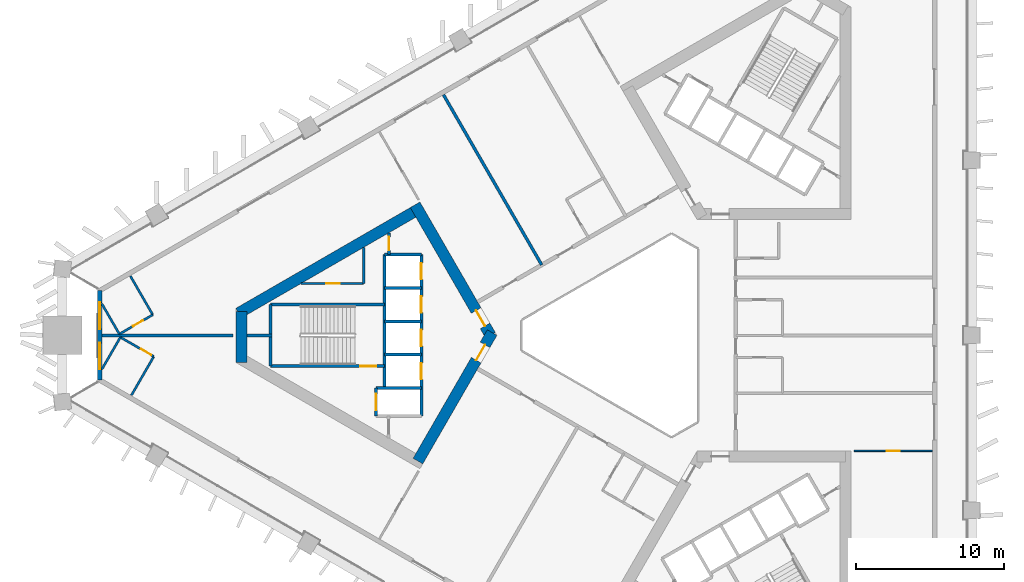
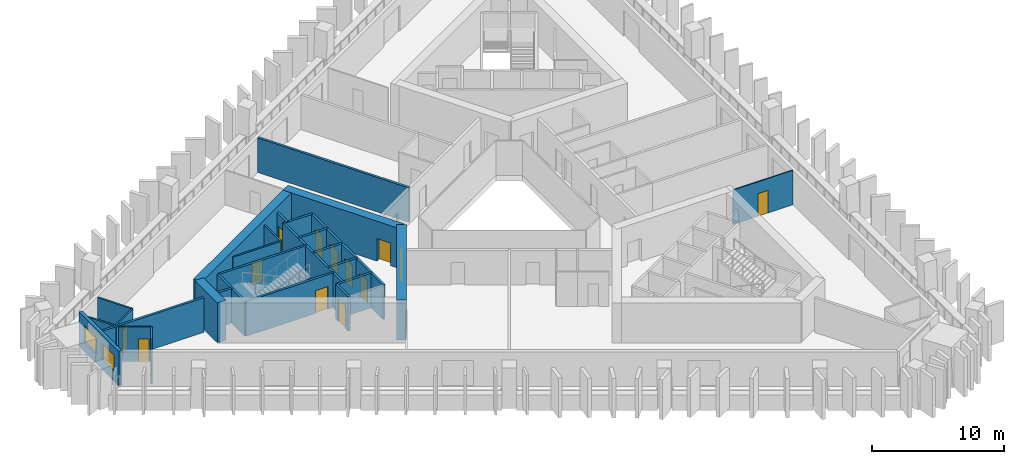
# One storey, part 4 of 11: 29 walls, 13 doors, 2 windows, 15 openings.
"""IFC4 building model written with IfcOpenShell, lengths in metres."""

import ifcopenshell
import ifcopenshell.guid

model = None  # the IFC model being written
_history = None  # IfcOwnerHistory: only IFC2X3 demands one
_inside = {}  # id of a spatial element -> (the spatial element, [elements in it])
_under = {}  # id of a project, library or spatial element -> (it, [spatial elements below it])
_declared = {}  # id of a project -> (the project, [libraries it declares])
_typed = {}  # id of a type object -> (the type object, [elements of that type])
_made_of = {}  # id of a material, layer set ... -> (it, [elements and type objects made of it])


def new_model(schema):
    """Start an empty IFC model of exactly this schema.

    Asked for "IFC4X3", IfcOpenShell would pick the latest addendum, in which some entities
    have other attributes; the version numbers below select the first issue.
    IFC2X3 requires an IfcOwnerHistory on every rooted entity: one is made here for all.
    """
    global model, _history
    if schema == "IFC4X3":
        model = ifcopenshell.file(schema_version=(4, 3, 0, 0))
    else:
        model = ifcopenshell.file(schema=schema)
    _inside.clear()
    _under.clear()
    _declared.clear()
    _typed.clear()
    _made_of.clear()
    _history = None
    if model.schema == "IFC2X3":
        org = make("IfcOrganization", Name="unknown")
        user = make(
            "IfcPersonAndOrganization",
            ThePerson=make("IfcPerson", FamilyName="unknown"),
            TheOrganization=org,
        )
        app = make(
            "IfcApplication",
            ApplicationDeveloper=org,
            Version="unknown",
            ApplicationFullName="unknown",
            ApplicationIdentifier="unknown",
        )
        _history = make(
            "IfcOwnerHistory",
            OwningUser=user,
            OwningApplication=app,
            ChangeAction="ADDED",
            CreationDate=0,
        )
    return model


def make(cls, **values):
    """One entity of the class cls with the attributes given. An attribute that is None is left unset."""
    return model.create_entity(
        cls, **{name: value for name, value in values.items() if value is not None}
    )


def rooted(cls, **values):
    """An entity with a GlobalId (a new one), such as an element, a storey or a relation."""
    return make(cls, GlobalId=ifcopenshell.guid.new(), OwnerHistory=_history, **values)


def si_unit(unit_type, name, prefix=None):
    """IfcSIUnit, for example si_unit("LENGTHUNIT", "METRE", prefix="MILLI")."""
    return make("IfcSIUnit", UnitType=unit_type, Prefix=prefix, Name=name)


def assignment(units):
    """IfcUnitAssignment: the units of a project."""
    return None if units is None else make("IfcUnitAssignment", Units=units)


def point(xyz):
    """IfcCartesianPoint."""
    return None if xyz is None else make("IfcCartesianPoint", Coordinates=xyz)


def direction(xyz):
    """IfcDirection."""
    return None if xyz is None else make("IfcDirection", DirectionRatios=xyz)


def frame(location, z_axis=None, x_axis=None):
    """IfcAxis2Placement3D, a coordinate frame: its origin and axes. An axis left out is left unset."""
    return make(
        "IfcAxis2Placement3D",
        Location=point(location),
        Axis=direction(z_axis),
        RefDirection=direction(x_axis),
    )


def frame_2d(location, x_axis=None):
    """IfcAxis2Placement2D, a coordinate frame in the plane: its origin and x axis."""
    return make(
        "IfcAxis2Placement2D", Location=point(location), RefDirection=direction(x_axis)
    )


def origin():
    """The frame at (0, 0, 0) with its axes left unset."""
    return frame((0.0, 0.0, 0.0))


def place(relative_to, where):
    """IfcLocalPlacement: puts the frame where relative to a parent placement (None: the world)."""
    return make(
        "IfcLocalPlacement", PlacementRelTo=relative_to, RelativePlacement=where
    )


def context(
    kind, dimensions, precision=None, world=None, true_north=None, identifier=None
):
    """IfcGeometricRepresentationContext, for example the 3D "Model" context."""
    return make(
        "IfcGeometricRepresentationContext",
        ContextIdentifier=identifier,
        ContextType=kind,
        CoordinateSpaceDimension=dimensions,
        Precision=precision,
        WorldCoordinateSystem=world,
        TrueNorth=true_north,
    )


def subcontext(parent, identifier, kind, view, scale=None):
    """IfcGeometricRepresentationSubContext, for example "Body" below "Model"."""
    return make(
        "IfcGeometricRepresentationSubContext",
        ContextIdentifier=identifier,
        ContextType=kind,
        ParentContext=parent,
        TargetScale=scale,
        TargetView=view,
    )


def project(units=None, contexts=None):
    """IfcProject with its units and contexts."""
    return rooted(
        "IfcProject",
        Name="project",
        RepresentationContexts=contexts,
        UnitsInContext=assignment(units),
    )


def spatial(cls, under=None, at=None, **own):
    """A site, building, storey or space (cls), placed at a placement, below another one or the project."""
    s = rooted(cls, ObjectPlacement=at, **own)
    if under is not None:
        _under.setdefault(under.id(), (under, []))[1].append(s)
    return s


def profile(cls, at=None, kind="AREA", **sizes):
    """A parametric profile (cls). Its sizes go by their IFC names, for example OverallWidth=200.0."""
    return make(cls, ProfileType=kind, Position=at, **sizes)


def rectangle(**sizes):
    """IfcRectangleProfileDef."""
    return profile("IfcRectangleProfileDef", **sizes)


def extrude(swept, where, along, depth):
    """IfcExtrudedAreaSolid: the profile swept, set in the frame where, extruded along a direction by depth."""
    return make(
        "IfcExtrudedAreaSolid",
        SweptArea=swept,
        Position=where,
        ExtrudedDirection=direction(along),
        Depth=depth,
    )


def shape(context_of_items, identifier, shape_type, items):
    """IfcShapeRepresentation: the items that make up one representation, for example the "Body"."""
    return make(
        "IfcShapeRepresentation",
        ContextOfItems=context_of_items,
        RepresentationIdentifier=identifier,
        RepresentationType=shape_type,
        Items=items,
    )


def material(Name=None, Category=None):
    """IfcMaterial."""
    return make("IfcMaterial", Name=Name, Category=Category)


def layer(
    of_material, thickness, ventilated=None, Name=None, Category=None, Priority=None
):
    """IfcMaterialLayer: one layer of a wall or slab, of a material (None: an air gap)."""
    return make(
        "IfcMaterialLayer",
        Material=of_material,
        LayerThickness=thickness,
        IsVentilated=ventilated,
        Name=Name,
        Category=Category,
        Priority=Priority,
    )


def layer_set(layers, Name=None):
    """IfcMaterialLayerSet."""
    return make("IfcMaterialLayerSet", MaterialLayers=layers, LayerSetName=Name)


def made_of(thing, what):
    """Note that an element or type object is made of a material, layer set ...; save() writes the relation."""
    if what is not None:
        _made_of.setdefault(what.id(), (what, []))[1].append(thing)
    return thing


def type_object(cls, material=None, **own):
    """A type object (cls), such as IfcWallType, which elements share."""
    return made_of(rooted(cls, **own), material)


def element(
    cls,
    number,
    at=None,
    inside=None,
    cuts=None,
    type_object=None,
    material=None,
    context=None,
    identifier="Body",
    shape_type=None,
    held_by="IfcProductDefinitionShape",
    body=None,
    shapes=None,
    **own,
):
    """One element of the class cls, such as IfcWall. Its Tag is "e" and its number.

    at: its placement. inside: the storey or other place that contains it. cuts: it is an
    opening in that element (IfcRelVoidsElement). A single representation is given by context,
    identifier, shape_type and body (its items); several are given by shapes. held_by: the class
    of the entity that holds the representations. save() writes the other relations.
    """
    e = rooted(cls, Tag="e%d" % number, ObjectPlacement=at, **own)
    if body is not None:
        shapes = [shape(context, identifier, shape_type, body)]
    if shapes is not None:
        e.Representation = make(held_by, Representations=shapes)
    if inside is not None:
        _inside.setdefault(inside.id(), (inside, []))[1].append(e)
    if cuts is not None:
        rooted(
            "IfcRelVoidsElement", RelatingBuildingElement=cuts, RelatedOpeningElement=e
        )
    if type_object is not None:
        _typed.setdefault(type_object.id(), (type_object, []))[1].append(e)
    return made_of(e, material)


def fill(opening, filler):
    """IfcRelFillsElement: the door or window that sits in an opening."""
    return rooted(
        "IfcRelFillsElement",
        RelatingOpeningElement=opening,
        RelatedBuildingElement=filler,
    )


def aggregate(whole, parts):
    """IfcRelAggregates: a whole, such as a stair, and the parts it consists of."""
    return rooted("IfcRelAggregates", RelatingObject=whole, RelatedObjects=parts)


def save(model, path):
    """Write the relations noted so far, then the file.

    IfcRelAggregates (storeys below a building ...), IfcRelContainedInSpatialStructure (elements
    in a storey), IfcRelDefinesByType, IfcRelAssociatesMaterial and IfcRelDeclares: one each for
    every whole, place, type object, material and project.
    """
    for whole, parts in _under.values():
        aggregate(whole, parts)
    for where, things in _inside.values():
        rooted(
            "IfcRelContainedInSpatialStructure",
            RelatedElements=things,
            RelatingStructure=where,
        )
    for kind, things in _typed.values():
        rooted("IfcRelDefinesByType", RelatedObjects=things, RelatingType=kind)
    for what, things in _made_of.values():
        rooted("IfcRelAssociatesMaterial", RelatedObjects=things, RelatingMaterial=what)
    for by, libraries in _declared.values():
        rooted("IfcRelDeclares", RelatingContext=by, RelatedDefinitions=libraries)
    model.write(path)


model = new_model("IFC4")

# Units and contexts
model_context = context("Model", 3, precision=1e-05, world=origin(), true_north=direction((0.0, 1.0)))
body_context = subcontext(model_context, "Body", "Model", "MODEL_VIEW")
ifc_project = project(units=[si_unit("LENGTHUNIT", "METRE"), si_unit("AREAUNIT", "SQUARE_METRE"), si_unit("VOLUMEUNIT", "CUBIC_METRE"), si_unit("PLANEANGLEUNIT", "RADIAN"), si_unit("MASSUNIT", "GRAM", prefix="KILO")], contexts=[model_context])

# Site, building, storey
site_placement = place(None, origin())
site = spatial("IfcSite", under=ifc_project, at=site_placement, CompositionType="ELEMENT")
building_placement = place(site_placement, origin())
building = spatial("IfcBuilding", under=site, at=building_placement, Name="Jabali Bay Hotel Tower and Convention Centre", CompositionType="ELEMENT")
storey_placement = place(building_placement, frame((0.0, 0.0, 79.5)))
storey = spatial("IfcBuildingStorey", under=building, at=storey_placement, Name="L18", CompositionType="ELEMENT", Elevation=79.5)

# Wall
ifc_material_1 = material(Name="Concrete C40", Category="concrete")
ifc_layer_1 = layer(ifc_material_1, 0.199951171875)
ifc_layer_set_1 = layer_set([ifc_layer_1], Name="Concrete C40")
wall_type_1 = type_object("IfcWallType", Name="Core partition wall 200", PredefinedType="PARTITIONING", material=ifc_layer_set_1)
wall_1_placement = place(storey_placement, frame((50.820068359375, 80.0, 0.0), z_axis=(0.0, 0.0, 1.0), x_axis=(-1.0, 0.0, 0.0)))
element("IfcWall", 1, at=wall_1_placement, inside=storey, type_object=wall_type_1, Name="Core wall 0.5 L18", PredefinedType="PARTITIONING", context=body_context, shape_type="SweptSolid", body=[
    extrude(rectangle(XDim=1.673095703125, YDim=0.199951171875, at=frame_2d((0.83642578125, 0.0))), origin(), (0.0, 0.0, 1.0), 3.199951171875),
])

# Wall, opening, door
wall_2_placement = place(storey_placement, frame((58.719970703125, 86.916748046875, 0.0), z_axis=(0.0, 0.0, 1.0), x_axis=(0.0, -1.0, 0.0)))
wall_2 = element("IfcWall", 2, at=wall_2_placement, inside=storey, type_object=wall_type_1, Name="Core wall 0.11 L18", PredefinedType="PARTITIONING", context=body_context, shape_type="SweptSolid", body=[
    extrude(rectangle(XDim=1.466796875, YDim=0.199951171875, at=frame_2d((0.7333984375, 0.0))), origin(), (0.0, 0.0, 1.0), 3.199951171875),
])
opening_1_placement = place(wall_2_placement, frame((0.283447265625, 0.0, 0.0)))
opening_1 = element("IfcOpeningElement", 3, at=opening_1_placement, cuts=wall_2, Name="Opening D441", PredefinedType="OPENING", context=body_context, shape_type="SweptSolid", body=[
    extrude(rectangle(XDim=0.89990234375, YDim=2.10009765625, at=frame_2d((0.449951171875, 1.050048828125))), frame((0.0, 0.1103515625, 0.0), z_axis=(0.0, -1.0, 0.0), x_axis=(1.0, 0.0, 0.0)), (0.0, 0.0, 1.0), 0.220947265625),
])
ifc_material_2 = material(Name="Fire-rated steel door", Category="steel")
door_type_1 = type_object("IfcDoorType", Name="Vestibule fire door 900 x 2100", OperationType="NOTDEFINED", PredefinedType="NOTDEFINED", material=ifc_material_2)
door_1_placement = place(opening_1_placement, origin())
door_1 = element("IfcDoor", 4, at=door_1_placement, inside=storey, type_object=door_type_1, Name="Vestibule fire door D441", OperationType="SINGLE_SWING_LEFT", OverallHeight=2.10009765625, OverallWidth=0.89990234375, PredefinedType="NOTDEFINED", context=body_context, shape_type="SweptSolid", body=[
    extrude(rectangle(XDim=0.89990234375, YDim=2.10009765625, at=frame_2d((0.449951171875, 1.050048828125))), frame((0.0, 0.02490234375, 0.0), z_axis=(0.0, -1.0, 0.0), x_axis=(1.0, 0.0, 0.0)), (0.0, 0.0, 1.0), 0.050048828125),
])
fill(opening_1, door_1)

ifc_material_3 = material(Name="Fire-rated board partition")
ifc_layer_2 = layer(ifc_material_3, 0.14990234375)
ifc_layer_set_2 = layer_set([ifc_layer_2], Name="Fire-rated board partition")
wall_type_2 = type_object("IfcWallType", Name="Core room partition 150", PredefinedType="PARTITIONING", material=ifc_layer_set_2)
wall_3_placement = place(storey_placement, frame((57.02001953125, 83.5, 0.0), z_axis=(0.0, 0.0, 1.0), x_axis=(-1.0, 0.0, 0.0)))
wall_3 = element("IfcWall", 5, at=wall_3_placement, inside=storey, type_object=wall_type_2, Name="Core wall 0.1 L18", PredefinedType="PARTITIONING", context=body_context, shape_type="SweptSolid", body=[
    extrude(rectangle(XDim=4.2177734375, YDim=0.14990234375, at=frame_2d((2.10888671875, 0.0))), origin(), (0.0, 0.0, 1.0), 3.199951171875),
])
opening_2_placement = place(wall_3_placement, frame((1.63134765625, 0.0, 0.0)))
opening_2 = element("IfcOpeningElement", 6, at=opening_2_placement, cuts=wall_3, Name="Opening D443", PredefinedType="OPENING", context=body_context, shape_type="SweptSolid", body=[
    extrude(rectangle(XDim=0.89990234375, YDim=2.10009765625, at=frame_2d((0.449951171875, 1.050048828125))), frame((0.0, 0.08544921875, 0.0), z_axis=(0.0, -1.0, 0.0), x_axis=(1.0, 0.0, 0.0)), (0.0, 0.0, 1.0), 0.1708984375),
])
door_type_2 = type_object("IfcDoorType", Name="Core room door 900 x 2100", OperationType="NOTDEFINED", PredefinedType="NOTDEFINED", material=ifc_material_2)
door_2_placement = place(opening_2_placement, origin())
door_2 = element("IfcDoor", 7, at=door_2_placement, inside=storey, type_object=door_type_2, Name="Core room door D443", OperationType="SINGLE_SWING_LEFT", OverallHeight=2.10009765625, OverallWidth=0.89990234375, PredefinedType="NOTDEFINED", context=body_context, shape_type="SweptSolid", body=[
    extrude(rectangle(XDim=0.89990234375, YDim=2.10009765625, at=frame_2d((0.449951171875, 1.050048828125))), frame((0.0, 0.02490234375, 0.0), z_axis=(0.0, -1.0, 0.0), x_axis=(1.0, 0.0, 0.0)), (0.0, 0.0, 1.0), 0.050048828125),
])
fill(opening_2, door_2)

# Walls
wall_4_placement = place(storey_placement, frame((57.02001953125, 85.935302734375, 0.0), z_axis=(0.0, 0.0, 1.0), x_axis=(0.0, -1.0, 0.0)))
element("IfcWall", 8, at=wall_4_placement, inside=storey, type_object=wall_type_2, Name="Core wall 0.15 L18", PredefinedType="PARTITIONING", context=body_context, shape_type="SweptSolid", body=[
    extrude(rectangle(XDim=2.435302734375, YDim=0.14990234375, at=frame_2d((1.2177734375, 0.0))), origin(), (0.0, 0.0, 1.0), 3.199951171875),
])
ifc_layer_3 = layer(ifc_material_1, 0.199951171875)
ifc_layer_set_3 = layer_set([ifc_layer_3], Name="Concrete C40")
wall_type_3 = type_object("IfcWallType", Name="Core stair wall 200", PredefinedType="SOLIDWALL", material=ifc_layer_set_3)
for number, where, z_axis, x_axis, name in (
    (9, (60.89990234375, 85.449951171875, 0.0), (0.0, 0.0, 1.0), (-1.0, 0.0, 0.0), "Core wall 0.0 L18"),
    (10, (60.89990234375, 83.199951171875, 0.0), (0.0, 0.0, 1.0), (-1.0, 0.0, 0.0), "Core wall 0.2 L18"),
):
    element("IfcWall", number, at=place(storey_placement, frame(where, z_axis=z_axis, x_axis=x_axis)), inside=storey, type_object=wall_type_3, Name=name, PredefinedType="SOLIDWALL", context=body_context, shape_type="SweptSolid", body=[
        extrude(rectangle(XDim=2.47998046875, YDim=0.199951171875, at=frame_2d((1.239990234375, 0.0))), origin(), (0.0, 0.0, 1.0), 3.199951171875),
    ])
wall_5_placement = place(storey_placement, frame((58.419921875, 82.074951171875, 0.0), z_axis=(0.0, 0.0, 1.0), x_axis=(-1.0, 0.0, 0.0)))
element("IfcWall", 11, at=wall_5_placement, inside=storey, type_object=wall_type_3, Name="Core wall 0.3 L18", PredefinedType="SOLIDWALL", context=body_context, shape_type="SweptSolid", body=[
    extrude(rectangle(XDim=7.699951171875, YDim=0.199951171875, at=frame_2d((3.85009765625, 0.0))), origin(), (0.0, 0.0, 1.0), 3.199951171875),
])
for number, where, z_axis, x_axis, name in (
    (12, (60.89990234375, 80.949951171875, 0.0), (0.0, 0.0, 1.0), (-1.0, 0.0, 0.0), "Core wall 0.4 L18"),
    (13, (60.89990234375, 78.699951171875, 0.0), (0.0, 0.0, 1.0), (-1.0, 0.0, 0.0), "Core wall 0.6 L18"),
):
    element("IfcWall", number, at=place(storey_placement, frame(where, z_axis=z_axis, x_axis=x_axis)), inside=storey, type_object=wall_type_3, Name=name, PredefinedType="SOLIDWALL", context=body_context, shape_type="SweptSolid", body=[
        extrude(rectangle(XDim=2.47998046875, YDim=0.199951171875, at=frame_2d((1.239990234375, 0.0))), origin(), (0.0, 0.0, 1.0), 3.199951171875),
    ])

# Wall, opening, door
wall_6_placement = place(storey_placement, frame((58.419921875, 77.925048828125, 0.0), z_axis=(0.0, 0.0, 1.0), x_axis=(-1.0, 0.0, 0.0)))
wall_6 = element("IfcWall", 14, at=wall_6_placement, inside=storey, type_object=wall_type_3, Name="Core wall 0.7 L18", PredefinedType="SOLIDWALL", context=body_context, shape_type="SweptSolid", body=[
    extrude(rectangle(XDim=7.699951171875, YDim=0.199951171875, at=frame_2d((3.85009765625, 0.0))), origin(), (0.0, 0.0, 1.0), 3.199951171875),
])
opening_3_placement = place(wall_6_placement, frame((0.550048828125, 0.0, 0.0)))
opening_3 = element("IfcOpeningElement", 15, at=opening_3_placement, cuts=wall_6, Name="Opening D442", PredefinedType="OPENING", context=body_context, shape_type="SweptSolid", body=[
    extrude(rectangle(XDim=1.10009765625, YDim=2.10009765625, at=frame_2d((0.550048828125, 1.050048828125))), frame((0.0, 0.1103515625, 0.0), z_axis=(0.0, -1.0, 0.0), x_axis=(1.0, 0.0, 0.0)), (0.0, 0.0, 1.0), 0.220947265625),
])
door_type_3 = type_object("IfcDoorType", Name="Stair fire door 1100 x 2100", OperationType="NOTDEFINED", PredefinedType="NOTDEFINED", material=ifc_material_2)
door_3_placement = place(opening_3_placement, origin())
door_3 = element("IfcDoor", 16, at=door_3_placement, inside=storey, type_object=door_type_3, Name="Stair fire door D442", OperationType="SINGLE_SWING_RIGHT", OverallHeight=2.10009765625, OverallWidth=1.10009765625, PredefinedType="NOTDEFINED", context=body_context, shape_type="SweptSolid", body=[
    extrude(rectangle(XDim=1.10009765625, YDim=2.10009765625, at=frame_2d((0.550048828125, 1.050048828125))), frame((0.0, 0.02490234375, 0.0), z_axis=(0.0, -1.0, 0.0), x_axis=(1.0, 0.0, 0.0)), (0.0, 0.0, 1.0), 0.050048828125),
])
fill(opening_3, door_3)

# Wall
wall_7_placement = place(storey_placement, frame((60.89990234375, 76.449951171875, 0.0), z_axis=(0.0, 0.0, 1.0), x_axis=(-1.0, 0.0, 0.0)))
element("IfcWall", 17, at=wall_7_placement, inside=storey, type_object=wall_type_3, Name="Core wall 0.8 L18", PredefinedType="SOLIDWALL", context=body_context, shape_type="SweptSolid", body=[
    extrude(rectangle(XDim=3.0498046875, YDim=0.199951171875, at=frame_2d((1.52490234375, 0.0))), origin(), (0.0, 0.0, 1.0), 3.199951171875),
])

# Wall, openings, doors
wall_8_placement = place(storey_placement, frame((60.89990234375, 85.449951171875, 0.0), z_axis=(0.0, 0.0, 1.0), x_axis=(0.0, -1.0, 0.0)))
wall_8 = element("IfcWall", 18, at=wall_8_placement, inside=storey, type_object=wall_type_3, Name="Core wall 0.10 L18", PredefinedType="SOLIDWALL", context=body_context, shape_type="SweptSolid", body=[
    extrude(rectangle(XDim=10.89990234375, YDim=0.199951171875, at=frame_2d((5.449951171875, 0.0))), origin(), (0.0, 0.0, 1.0), 3.199951171875),
])
opening_4_placement = place(wall_8_placement, frame((0.574951171875, 0.0, 0.0)))
opening_4 = element("IfcOpeningElement", 19, at=opening_4_placement, cuts=wall_8, Name="Opening LD1-L18", PredefinedType="OPENING", context=body_context, shape_type="SweptSolid", body=[
    extrude(rectangle(XDim=1.10009765625, YDim=2.10009765625, at=frame_2d((0.550048828125, 1.050048828125))), frame((0.0, 0.1103515625, 0.0), z_axis=(0.0, -1.0, 0.0), x_axis=(1.0, 0.0, 0.0)), (0.0, 0.0, 1.0), 0.220947265625),
])
opening_5_placement = place(wall_8_placement, frame((2.824951171875, 0.0, 0.0)))
opening_5 = element("IfcOpeningElement", 20, at=opening_5_placement, cuts=wall_8, Name="Opening LD2-L18", PredefinedType="OPENING", context=body_context, shape_type="SweptSolid", body=[
    extrude(rectangle(XDim=1.10009765625, YDim=2.10009765625, at=frame_2d((0.550048828125, 1.050048828125))), frame((0.0, 0.1103515625, 0.0), z_axis=(0.0, -1.0, 0.0), x_axis=(1.0, 0.0, 0.0)), (0.0, 0.0, 1.0), 0.220947265625),
])
opening_6_placement = place(wall_8_placement, frame((5.074951171875, 0.0, 0.0)))
opening_6 = element("IfcOpeningElement", 21, at=opening_6_placement, cuts=wall_8, Name="Opening LD3-L18", PredefinedType="OPENING", context=body_context, shape_type="SweptSolid", body=[
    extrude(rectangle(XDim=1.10009765625, YDim=2.10009765625, at=frame_2d((0.550048828125, 1.050048828125))), frame((0.0, 0.1103515625, 0.0), z_axis=(0.0, -1.0, 0.0), x_axis=(1.0, 0.0, 0.0)), (0.0, 0.0, 1.0), 0.220947265625),
])
opening_7_placement = place(wall_8_placement, frame((7.324951171875, 0.0, 0.0)))
opening_7 = element("IfcOpeningElement", 22, at=opening_7_placement, cuts=wall_8, Name="Opening LD4-L18", PredefinedType="OPENING", context=body_context, shape_type="SweptSolid", body=[
    extrude(rectangle(XDim=1.10009765625, YDim=2.10009765625, at=frame_2d((0.550048828125, 1.050048828125))), frame((0.0, 0.1103515625, 0.0), z_axis=(0.0, -1.0, 0.0), x_axis=(1.0, 0.0, 0.0)), (0.0, 0.0, 1.0), 0.220947265625),
])
ifc_material_4 = material(Name="Stainless steel landing door", Category="steel")
door_type_4 = type_object("IfcDoorType", Name="Landing door 1100 x 2100", OperationType="NOTDEFINED", PredefinedType="NOTDEFINED", material=ifc_material_4)
door_4_placement = place(opening_4_placement, origin())
door_4 = element("IfcDoor", 23, at=door_4_placement, inside=storey, type_object=door_type_4, Name="Landing doors LD1-L18", OperationType="SLIDING_TO_RIGHT", OverallHeight=2.10009765625, OverallWidth=1.10009765625, PredefinedType="NOTDEFINED", context=body_context, shape_type="SweptSolid", body=[
    extrude(rectangle(XDim=1.10009765625, YDim=2.10009765625, at=frame_2d((0.550048828125, 1.050048828125))), frame((0.0, 0.02490234375, 0.0), z_axis=(0.0, -1.0, 0.0), x_axis=(1.0, 0.0, 0.0)), (0.0, 0.0, 1.0), 0.050048828125),
])
fill(opening_4, door_4)
door_5_placement = place(opening_5_placement, origin())
door_5 = element("IfcDoor", 24, at=door_5_placement, inside=storey, type_object=door_type_4, Name="Landing doors LD2-L18", OperationType="SLIDING_TO_LEFT", OverallHeight=2.10009765625, OverallWidth=1.10009765625, PredefinedType="NOTDEFINED", context=body_context, shape_type="SweptSolid", body=[
    extrude(rectangle(XDim=1.10009765625, YDim=2.10009765625, at=frame_2d((0.550048828125, 1.050048828125))), frame((0.0, 0.02490234375, 0.0), z_axis=(0.0, -1.0, 0.0), x_axis=(1.0, 0.0, 0.0)), (0.0, 0.0, 1.0), 0.050048828125),
])
fill(opening_5, door_5)
door_6_placement = place(opening_6_placement, origin())
door_6 = element("IfcDoor", 25, at=door_6_placement, inside=storey, type_object=door_type_4, Name="Landing doors LD3-L18", OperationType="SLIDING_TO_RIGHT", OverallHeight=2.10009765625, OverallWidth=1.10009765625, PredefinedType="NOTDEFINED", context=body_context, shape_type="SweptSolid", body=[
    extrude(rectangle(XDim=1.10009765625, YDim=2.10009765625, at=frame_2d((0.550048828125, 1.050048828125))), frame((0.0, 0.02490234375, 0.0), z_axis=(0.0, -1.0, 0.0), x_axis=(1.0, 0.0, 0.0)), (0.0, 0.0, 1.0), 0.050048828125),
])
fill(opening_6, door_6)
door_7_placement = place(opening_7_placement, origin())
door_7 = element("IfcDoor", 26, at=door_7_placement, inside=storey, type_object=door_type_4, Name="Landing doors LD4-L18", OperationType="SLIDING_TO_LEFT", OverallHeight=2.10009765625, OverallWidth=1.10009765625, PredefinedType="NOTDEFINED", context=body_context, shape_type="SweptSolid", body=[
    extrude(rectangle(XDim=1.10009765625, YDim=2.10009765625, at=frame_2d((0.550048828125, 1.050048828125))), frame((0.0, 0.02490234375, 0.0), z_axis=(0.0, -1.0, 0.0), x_axis=(1.0, 0.0, 0.0)), (0.0, 0.0, 1.0), 0.050048828125),
])
fill(opening_7, door_7)

# Wall
wall_9_placement = place(storey_placement, frame((58.419921875, 85.449951171875, 0.0), z_axis=(0.0, 0.0, 1.0), x_axis=(0.0, -1.0, 0.0)))
element("IfcWall", 27, at=wall_9_placement, inside=storey, type_object=wall_type_3, Name="Core wall 0.13 L18", PredefinedType="SOLIDWALL", context=body_context, shape_type="SweptSolid", body=[
    extrude(rectangle(XDim=9.0, YDim=0.199951171875, at=frame_2d((4.5, 0.0))), origin(), (0.0, 0.0, 1.0), 3.199951171875),
])

# Wall, opening, door
wall_10_placement = place(storey_placement, frame((57.85009765625, 76.449951171875, 0.0), z_axis=(0.0, 0.0, 1.0), x_axis=(0.0, -1.0, 0.0)))
wall_10 = element("IfcWall", 28, at=wall_10_placement, inside=storey, type_object=wall_type_3, Name="Core wall 0.14 L18", PredefinedType="SOLIDWALL", context=body_context, shape_type="SweptSolid", body=[
    extrude(rectangle(XDim=1.89990234375, YDim=0.199951171875, at=frame_2d((0.949951171875, 0.0))), origin(), (0.0, 0.0, 1.0), 3.199951171875),
])
opening_8_placement = place(wall_10_placement, frame((0.39990234375, 0.0, 0.0)))
opening_8 = element("IfcOpeningElement", 29, at=opening_8_placement, cuts=wall_10, Name="Opening LD5-L18", PredefinedType="OPENING", context=body_context, shape_type="SweptSolid", body=[
    extrude(rectangle(XDim=1.10009765625, YDim=2.10009765625, at=frame_2d((0.550048828125, 1.050048828125))), frame((0.0, 0.1103515625, 0.0), z_axis=(0.0, -1.0, 0.0), x_axis=(1.0, 0.0, 0.0)), (0.0, 0.0, 1.0), 0.220947265625),
])
door_8_placement = place(opening_8_placement, origin())
door_8 = element("IfcDoor", 30, at=door_8_placement, inside=storey, type_object=door_type_4, Name="Landing doors LD5-L18", OperationType="SLIDING_TO_RIGHT", OverallHeight=2.10009765625, OverallWidth=1.10009765625, PredefinedType="NOTDEFINED", context=body_context, shape_type="SweptSolid", body=[
    extrude(rectangle(XDim=1.10009765625, YDim=2.10009765625, at=frame_2d((0.550048828125, 1.050048828125))), frame((0.0, 0.02490234375, 0.0), z_axis=(0.0, -1.0, 0.0), x_axis=(1.0, 0.0, 0.0)), (0.0, 0.0, 1.0), 0.050048828125),
])
fill(opening_8, door_8)

# Wall
wall_11_placement = place(storey_placement, frame((50.719970703125, 82.074951171875, 0.0), z_axis=(0.0, 0.0, 1.0), x_axis=(0.0, -1.0, 0.0)))
element("IfcWall", 31, at=wall_11_placement, inside=storey, type_object=wall_type_3, Name="Core wall 0.16 L18", PredefinedType="SOLIDWALL", context=body_context, shape_type="SweptSolid", body=[
    extrude(rectangle(XDim=4.14990234375, YDim=0.199951171875, at=frame_2d((2.074951171875, 0.0))), origin(), (0.0, 0.0, 1.0), 3.199951171875),
])

# Wall, opening, door
ifc_material_5 = material(Name="Concrete C60", Category="concrete")
ifc_layer_4 = layer(ifc_material_5, 0.75)
ifc_layer_set_4 = layer_set([ifc_layer_4], Name="Concrete C60")
wall_type_4 = type_object("IfcWallType", Name="Core wall 750", PredefinedType="SHEAR", material=ifc_layer_set_4)
wall_12_placement = place(storey_placement, frame((65.56689453125, 80.0, 0.0), z_axis=(0.0, 0.0, 1.0), x_axis=(-0.499988615364, 0.866031976607, 0.0)))
wall_12 = element("IfcWall", 32, at=wall_12_placement, inside=storey, type_object=wall_type_4, Name="Core wall 1.1 L18", PredefinedType="SHEAR", context=body_context, shape_type="SweptSolid", body=[
    extrude(rectangle(XDim=10.163330078125, YDim=0.75, at=frame_2d((5.08154296875, 0.0))), origin(), (0.0, 0.0, 1.0), 3.699951171875),
])
opening_9_placement = place(wall_12_placement, frame((0.7333984375, 0.0, 0.0)))
opening_9 = element("IfcOpeningElement", 33, at=opening_9_placement, cuts=wall_12, Name="Opening D438", PredefinedType="OPENING", context=body_context, shape_type="SweptSolid", body=[
    extrude(rectangle(XDim=1.199951171875, YDim=2.10009765625, at=frame_2d((0.60009765625, 1.050048828125))), frame((0.0, 0.385498046875, 0.0), z_axis=(0.0, -1.0, 0.0), x_axis=(1.0, 0.0, 0.0)), (0.0, 0.0, 1.0), 0.77099609375),
])
door_type_5 = type_object("IfcDoorType", Name="Corridor end fire door 1200 x 2100", OperationType="NOTDEFINED", PredefinedType="NOTDEFINED", material=ifc_material_2)
door_9_placement = place(opening_9_placement, origin())
door_9 = element("IfcDoor", 34, at=door_9_placement, inside=storey, type_object=door_type_5, Name="Corridor end fire door D438", OperationType="SINGLE_SWING_RIGHT", OverallHeight=2.10009765625, OverallWidth=1.199951171875, PredefinedType="NOTDEFINED", context=body_context, shape_type="SweptSolid", body=[
    extrude(rectangle(XDim=1.199951171875, YDim=2.10009765625, at=frame_2d((0.60009765625, 1.050048828125))), frame((0.0, 0.02490234375, 0.0), z_axis=(0.0, -1.0, 0.0), x_axis=(1.0, 0.0, 0.0)), (0.0, 0.0, 1.0), 0.050048828125),
])
fill(opening_9, door_9)

# Walls
wall_13_placement = place(storey_placement, frame((60.6728515625, 88.47705078125, 0.0), z_axis=(0.0, 0.0, 1.0), x_axis=(-0.8660248072, -0.500001033313, 0.0)))
element("IfcWall", 35, at=wall_13_placement, inside=storey, type_object=wall_type_4, Name="Core wall 1.2 L18", PredefinedType="SHEAR", context=body_context, shape_type="SweptSolid", body=[
    extrude(rectangle(XDim=13.95849609375, YDim=0.75, at=frame_2d((6.979248046875, 0.0))), origin(), (0.0, 0.0, 1.0), 3.699951171875),
])
wall_14_placement = place(storey_placement, frame((48.77197265625, 81.606201171875, 0.0), z_axis=(0.0, 0.0, 1.0), x_axis=(0.0, -1.0, 0.0)))
element("IfcWall", 36, at=wall_14_placement, inside=storey, type_object=wall_type_4, Name="Core wall 1.3 L18", PredefinedType="SHEAR", context=body_context, shape_type="SweptSolid", body=[
    extrude(rectangle(XDim=3.428955078125, YDim=0.75, at=frame_2d((1.71435546875, 0.0))), origin(), (0.0, 0.0, 1.0), 3.699951171875),
])

# Wall, opening, door
wall_15_placement = place(storey_placement, frame((60.6728515625, 71.52294921875, 0.0), z_axis=(0.0, 0.0, 1.0), x_axis=(0.499997052475, 0.866027105532, 0.0)))
wall_15 = element("IfcWall", 37, at=wall_15_placement, inside=storey, type_object=wall_type_4, Name="Core wall 1.5 L18", PredefinedType="SHEAR", context=body_context, shape_type="SweptSolid", body=[
    extrude(rectangle(XDim=10.0048828125, YDim=0.75, at=frame_2d((5.00244140625, 0.0))), origin(), (0.0, 0.0, 1.0), 3.699951171875),
])
opening_10_placement = place(wall_15_placement, frame((7.85498046875, 0.0, 0.0)))
opening_10 = element("IfcOpeningElement", 38, at=opening_10_placement, cuts=wall_15, Name="Opening D439", PredefinedType="OPENING", context=body_context, shape_type="SweptSolid", body=[
    extrude(rectangle(XDim=1.199951171875, YDim=2.10009765625, at=frame_2d((0.60009765625, 1.050048828125))), frame((0.0, 0.385498046875, 0.0), z_axis=(0.0, -1.0, 0.0), x_axis=(1.0, 0.0, 0.0)), (0.0, 0.0, 1.0), 0.77099609375),
])
door_10_placement = place(opening_10_placement, origin())
door_10 = element("IfcDoor", 39, at=door_10_placement, inside=storey, type_object=door_type_5, Name="Corridor end fire door D439", OperationType="SINGLE_SWING_LEFT", OverallHeight=2.10009765625, OverallWidth=1.199951171875, PredefinedType="NOTDEFINED", context=body_context, shape_type="SweptSolid", body=[
    extrude(rectangle(XDim=1.199951171875, YDim=2.10009765625, at=frame_2d((0.60009765625, 1.050048828125))), frame((0.0, 0.02490234375, 0.0), z_axis=(0.0, -1.0, 0.0), x_axis=(1.0, 0.0, 0.0)), (0.0, 0.0, 1.0), 0.050048828125),
])
fill(opening_10, door_10)

# Wall, openings, windows
ifc_layer_5 = layer(ifc_material_1, 0.300048828125)
ifc_layer_set_5 = layer_set([ifc_layer_5], Name="Concrete C40")
wall_type_5 = type_object("IfcWallType", Name="External wall 300", PredefinedType="SOLIDWALL", material=ifc_layer_set_5)
wall_16_placement = place(storey_placement, frame((39.222900390625, 76.98388671875, 0.0), z_axis=(0.0, 0.0, 1.0), x_axis=(0.0, 1.0, 0.0)))
wall_16 = element("IfcWall", 40, at=wall_16_placement, inside=storey, type_object=wall_type_5, Name="External wall west chamfer L18", PredefinedType="SOLIDWALL", context=body_context, shape_type="SweptSolid", body=[
    extrude(rectangle(XDim=6.0322265625, YDim=0.300048828125, at=frame_2d((3.01611328125, 0.0))), origin(), (0.0, 0.0, 1.0), 3.199951171875),
])
opening_11_placement = place(wall_16_placement, frame((3.4365234375, 0.0, 0.89990234375)))
opening_11 = element("IfcOpeningElement", 41, at=opening_11_placement, cuts=wall_16, Name="Opening W1", PredefinedType="OPENING", context=body_context, shape_type="SweptSolid", body=[
    extrude(rectangle(XDim=1.800048828125, YDim=1.5, at=frame_2d((0.89990234375, 0.75))), frame((0.0, 0.16064453125, 0.0), z_axis=(0.0, -1.0, 0.0), x_axis=(1.0, 0.0, 0.0)), (0.0, 0.0, 1.0), 0.321044921875),
])
opening_12_placement = place(wall_16_placement, frame((0.715576171875, 0.0, 0.89990234375)))
opening_12 = element("IfcOpeningElement", 42, at=opening_12_placement, cuts=wall_16, Name="Opening W1", PredefinedType="OPENING", context=body_context, shape_type="SweptSolid", body=[
    extrude(rectangle(XDim=1.800048828125, YDim=1.5, at=frame_2d((0.89990234375, 0.75))), frame((0.0, 0.16064453125, 0.0), z_axis=(0.0, -1.0, 0.0), x_axis=(1.0, 0.0, 0.0)), (0.0, 0.0, 1.0), 0.321044921875),
])
ifc_material_6 = material(Name="Glass", Category="glass")
window_type = type_object("IfcWindowType", Name="Window 1800 x 1500", PartitioningType="SINGLE_PANEL", PredefinedType="WINDOW", material=ifc_material_6)
window_1_placement = place(opening_11_placement, origin())
window_1 = element("IfcWindow", 43, at=window_1_placement, inside=storey, type_object=window_type, Name="Window 1807", OverallHeight=1.5, OverallWidth=1.800048828125, PartitioningType="SINGLE_PANEL", PredefinedType="WINDOW", context=body_context, shape_type="SweptSolid", body=[
    extrude(rectangle(XDim=1.800048828125, YDim=1.5, at=frame_2d((0.89990234375, 0.75))), frame((0.0, 0.030029296875, 0.0), z_axis=(0.0, -1.0, 0.0), x_axis=(1.0, 0.0, 0.0)), (0.0, 0.0, 1.0), 0.06005859375),
])
fill(opening_11, window_1)
window_2_placement = place(opening_12_placement, origin())
window_2 = element("IfcWindow", 44, at=window_2_placement, inside=storey, type_object=window_type, Name="Window 1808", OverallHeight=1.5, OverallWidth=1.800048828125, PartitioningType="SINGLE_PANEL", PredefinedType="WINDOW", context=body_context, shape_type="SweptSolid", body=[
    extrude(rectangle(XDim=1.800048828125, YDim=1.5, at=frame_2d((0.89990234375, 0.75))), frame((0.0, 0.030029296875, 0.0), z_axis=(0.0, -1.0, 0.0), x_axis=(1.0, 0.0, 0.0)), (0.0, 0.0, 1.0), 0.06005859375),
])
fill(opening_12, window_2)

# Wall, opening, door
ifc_material_7 = material(Name="Plasterboard on steel stud", Category="steel")
ifc_layer_6 = layer(ifc_material_7, 0.10009765625)
ifc_layer_set_6 = layer_set([ifc_layer_6], Name="Plasterboard on steel stud")
wall_type_6 = type_object("IfcWallType", Name="Partition 100 unit", PredefinedType="PARTITIONING", material=ifc_layer_set_6)
wall_17_placement = place(storey_placement, frame((90.0791015625, 72.205810546875, 0.0), z_axis=(0.0, 0.0, 1.0), x_axis=(1.0, 0.0, 0.0)))
wall_17 = element("IfcWall", 45, at=wall_17_placement, inside=storey, type_object=wall_type_6, Name="Partition P02 L18 001", PredefinedType="PARTITIONING", context=body_context, shape_type="SweptSolid", body=[
    extrude(rectangle(XDim=5.2724609375, YDim=0.10009765625, at=frame_2d((2.63623046875, 0.0))), origin(), (0.0, 0.0, 1.0), 3.199951171875),
])
opening_13_placement = place(wall_17_placement, frame((2.18603515625, 0.0, 0.0)))
opening_13 = element("IfcOpeningElement", 46, at=opening_13_placement, cuts=wall_17, Name="Opening 1802", PredefinedType="OPENING", context=body_context, shape_type="SweptSolid", body=[
    extrude(rectangle(XDim=0.89990234375, YDim=2.10009765625, at=frame_2d((0.449951171875, 1.050048828125))), frame((0.0, 0.060546875, 0.0), z_axis=(0.0, -1.0, 0.0), x_axis=(1.0, 0.0, 0.0)), (0.0, 0.0, 1.0), 0.12109375),
])
ifc_material_8 = material(Name="Timber", Category="wood")
door_type_6 = type_object("IfcDoorType", Name="Internal door 900 x 2100", OperationType="NOTDEFINED", PredefinedType="NOTDEFINED", material=ifc_material_8)
door_11_placement = place(opening_13_placement, origin())
door_11 = element("IfcDoor", 47, at=door_11_placement, inside=storey, type_object=door_type_6, Name="Door 1802", OperationType="SINGLE_SWING_LEFT", OverallHeight=2.10009765625, OverallWidth=0.89990234375, PredefinedType="NOTDEFINED", context=body_context, shape_type="SweptSolid", body=[
    extrude(rectangle(XDim=0.89990234375, YDim=2.10009765625, at=frame_2d((0.449951171875, 1.050048828125))), frame((0.0, 0.02490234375, 0.0), z_axis=(0.0, -1.0, 0.0), x_axis=(1.0, 0.0, 0.0)), (0.0, 0.0, 1.0), 0.050048828125),
])
fill(opening_13, door_11)

# Wall
ifc_layer_7 = layer(ifc_material_7, 0.14990234375)
ifc_layer_set_7 = layer_set([ifc_layer_7], Name="Plasterboard on steel stud")
wall_type_7 = type_object("IfcWallType", Name="Partition 150 wet", PredefinedType="PARTITIONING", material=ifc_layer_set_7)
wall_18_placement = place(storey_placement, frame((41.293701171875, 83.992431640625, 0.0), z_axis=(0.0, 0.0, 1.0), x_axis=(0.500022102064, -0.866012642776, 0.0)))
element("IfcWall", 48, at=wall_18_placement, inside=storey, type_object=wall_type_7, Name="Partition P03 L18 027", PredefinedType="PARTITIONING", context=body_context, shape_type="SweptSolid", body=[
    extrude(rectangle(XDim=3.009033203125, YDim=0.14990234375, at=frame_2d((1.50439453125, 0.0))), origin(), (0.0, 0.0, 1.0), 3.199951171875),
])

# Wall, opening, door
wall_19_placement = place(storey_placement, frame((42.79833984375, 81.386474609375, 0.0), z_axis=(0.0, 0.0, 1.0), x_axis=(-0.866021400173, -0.500006934395, 0.0)))
wall_19 = element("IfcWall", 49, at=wall_19_placement, inside=storey, type_object=wall_type_7, Name="Partition P03 L18 028", PredefinedType="PARTITIONING", context=body_context, shape_type="SweptSolid", body=[
    extrude(rectangle(XDim=2.60009765625, YDim=0.14990234375, at=frame_2d((1.300048828125, 0.0))), origin(), (0.0, 0.0, 1.0), 3.199951171875),
])
opening_14_placement = place(wall_19_placement, frame((0.75, 0.0, 0.0)))
opening_14 = element("IfcOpeningElement", 50, at=opening_14_placement, cuts=wall_19, Name="Opening 1817", PredefinedType="OPENING", context=body_context, shape_type="SweptSolid", body=[
    extrude(rectangle(XDim=0.800048828125, YDim=2.10009765625, at=frame_2d((0.39990234375, 1.050048828125))), frame((0.0, 0.08544921875, 0.0), z_axis=(0.0, -1.0, 0.0), x_axis=(1.0, 0.0, 0.0)), (0.0, 0.0, 1.0), 0.1708984375),
])
door_type_7 = type_object("IfcDoorType", Name="En-suite door 800 x 2100", OperationType="NOTDEFINED", PredefinedType="NOTDEFINED", material=ifc_material_8)
door_12_placement = place(opening_14_placement, origin())
door_12 = element("IfcDoor", 51, at=door_12_placement, inside=storey, type_object=door_type_7, Name="Door 1817", OperationType="SINGLE_SWING_LEFT", OverallHeight=2.10009765625, OverallWidth=0.800048828125, PredefinedType="NOTDEFINED", context=body_context, shape_type="SweptSolid", body=[
    extrude(rectangle(XDim=0.800048828125, YDim=2.10009765625, at=frame_2d((0.39990234375, 1.050048828125))), frame((0.0, 0.02490234375, 0.0), z_axis=(0.0, -1.0, 0.0), x_axis=(1.0, 0.0, 0.0)), (0.0, 0.0, 1.0), 0.050048828125),
])
fill(opening_14, door_12)

# Walls
wall_20_placement = place(storey_placement, frame((40.546630859375, 80.08642578125, 0.0), z_axis=(0.0, 0.0, 1.0), x_axis=(-0.499983284935, 0.866035054017, 0.0)))
element("IfcWall", 52, at=wall_20_placement, inside=storey, type_object=wall_type_7, Name="Partition P03 L18 029", PredefinedType="PARTITIONING", context=body_context, shape_type="SweptSolid", body=[
    extrude(rectangle(XDim=2.349609375, YDim=0.14990234375, at=frame_2d((1.1748046875, 0.0))), origin(), (0.0, 0.0, 1.0), 3.199951171875),
])
wall_21_placement = place(storey_placement, frame((39.371826171875, 77.7177734375, 0.0), z_axis=(0.0, 0.0, 1.0), x_axis=(0.499968694491, 0.866043477274, 0.0)))
element("IfcWall", 53, at=wall_21_placement, inside=storey, type_object=wall_type_7, Name="Partition P03 L18 033", PredefinedType="PARTITIONING", context=body_context, shape_type="SweptSolid", body=[
    extrude(rectangle(XDim=2.489013671875, YDim=0.14990234375, at=frame_2d((1.24462890625, 0.0))), origin(), (0.0, 0.0, 1.0), 3.199951171875),
])

# Wall, opening, door
wall_22_placement = place(storey_placement, frame((40.6162109375, 79.873291015625, 0.0), z_axis=(0.0, 0.0, 1.0), x_axis=(0.866021400173, -0.500006934395, 0.0)))
wall_22 = element("IfcWall", 54, at=wall_22_placement, inside=storey, type_object=wall_type_7, Name="Partition P03 L18 034", PredefinedType="PARTITIONING", context=body_context, shape_type="SweptSolid", body=[
    extrude(rectangle(XDim=2.60009765625, YDim=0.14990234375, at=frame_2d((1.300048828125, 0.0))), origin(), (0.0, 0.0, 1.0), 3.199951171875),
])
opening_15_placement = place(wall_22_placement, frame((1.60009765625, 0.0, 0.0)))
opening_15 = element("IfcOpeningElement", 55, at=opening_15_placement, cuts=wall_22, Name="Opening 1820", PredefinedType="OPENING", context=body_context, shape_type="SweptSolid", body=[
    extrude(rectangle(XDim=0.800048828125, YDim=2.10009765625, at=frame_2d((0.39990234375, 1.050048828125))), frame((0.0, 0.08544921875, 0.0), z_axis=(0.0, -1.0, 0.0), x_axis=(1.0, 0.0, 0.0)), (0.0, 0.0, 1.0), 0.1708984375),
])
door_13_placement = place(opening_15_placement, origin())
door_13 = element("IfcDoor", 56, at=door_13_placement, inside=storey, type_object=door_type_7, Name="Door 1820", OperationType="SINGLE_SWING_RIGHT", OverallHeight=2.10009765625, OverallWidth=0.800048828125, PredefinedType="NOTDEFINED", context=body_context, shape_type="SweptSolid", body=[
    extrude(rectangle(XDim=0.800048828125, YDim=2.10009765625, at=frame_2d((0.39990234375, 1.050048828125))), frame((0.0, 0.02490234375, 0.0), z_axis=(0.0, -1.0, 0.0), x_axis=(1.0, 0.0, 0.0)), (0.0, 0.0, 1.0), 0.050048828125),
])
fill(opening_15, door_13)

# Walls
wall_23_placement = place(storey_placement, frame((42.867919921875, 78.5732421875, 0.0), z_axis=(0.0, 0.0, 1.0), x_axis=(-0.499961250474, -0.866047774678, 0.0)))
element("IfcWall", 57, at=wall_23_placement, inside=storey, type_object=wall_type_7, Name="Partition P03 L18 035", PredefinedType="PARTITIONING", context=body_context, shape_type="SweptSolid", body=[
    extrude(rectangle(XDim=3.009033203125, YDim=0.14990234375, at=frame_2d((1.50439453125, 0.0))), origin(), (0.0, 0.0, 1.0), 3.199951171875),
])
ifc_layer_8 = layer(ifc_material_7, 0.199951171875)
ifc_layer_set_8 = layer_set([ifc_layer_8], Name="Plasterboard on steel stud")
wall_type_8 = type_object("IfcWallType", Name="Partition 200 party", PredefinedType="PARTITIONING", material=ifc_layer_set_8)
wall_24_placement = place(storey_placement, frame((62.394287109375, 96.22216796875, 0.0), z_axis=(0.0, 0.0, 1.0), x_axis=(0.499993034499, -0.866029425281, 0.0)))
element("IfcWall", 58, at=wall_24_placement, inside=storey, type_object=wall_type_8, Name="Partition P01 L18 025", PredefinedType="PARTITIONING", context=body_context, shape_type="SweptSolid", body=[
    extrude(rectangle(XDim=13.251708984375, YDim=0.199951171875, at=frame_2d((6.6259765625, 0.0))), origin(), (0.0, 0.0, 1.0), 3.199951171875),
])
wall_25_placement = place(storey_placement, frame((39.371826171875, 80.0, 0.0), z_axis=(0.0, 0.0, 1.0), x_axis=(1.0, 0.0, 0.0)))
element("IfcWall", 59, at=wall_25_placement, inside=storey, type_object=wall_type_8, Name="Partition P01 L18 030", PredefinedType="PARTITIONING", context=body_context, shape_type="SweptSolid", body=[
    extrude(rectangle(XDim=8.826171875, YDim=0.199951171875, at=frame_2d((4.4130859375, 0.0))), origin(), (0.0, 0.0, 1.0), 3.199951171875),
])

save(model, "model.ifc")
